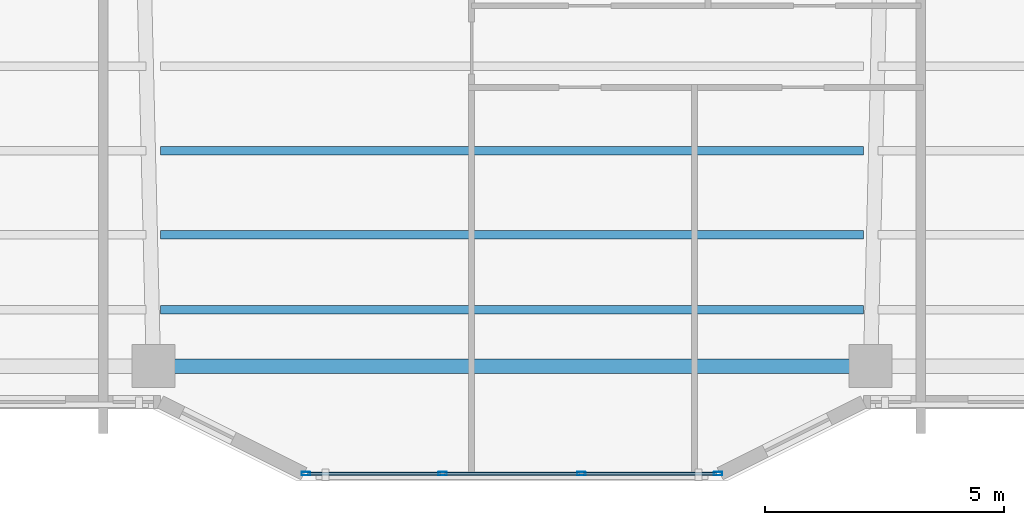
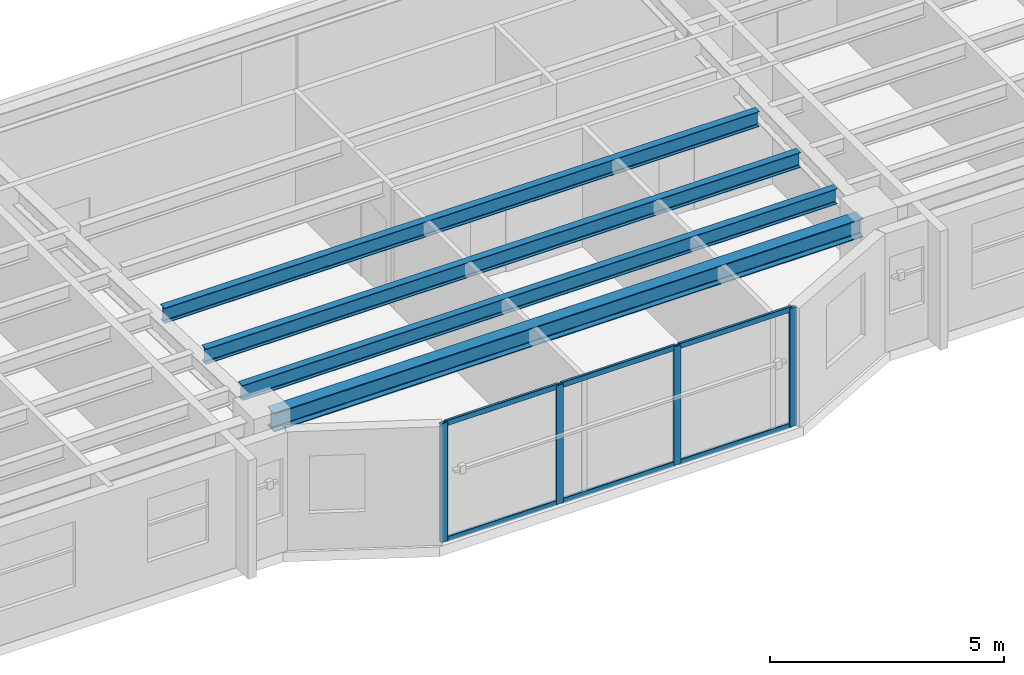
# One storey, part 2 of 15: 10 members, 4 beams, 1 element without a shape of its own.
"""IFC4 building model written with IfcOpenShell, lengths in metres."""

from ifc_helpers import new_model, si_unit, direction, frame, origin, origin_2d, place, context, subcontext, project, spatial, hollow_rectangle, i_section, extrude, material, layer, layer_set, material_profile, profile_set, type_object, element, aggregate, save


model = new_model("IFC4")

# Units and contexts
model_context = context("Model", 3, precision=1e-05, world=origin(), true_north=direction((0.0, 1.0)))
body_context = subcontext(model_context, "Body", "Model", "MODEL_VIEW")
ifc_project = project(units=[si_unit("LENGTHUNIT", "METRE"), si_unit("AREAUNIT", "SQUARE_METRE"), si_unit("VOLUMEUNIT", "CUBIC_METRE"), si_unit("PLANEANGLEUNIT", "RADIAN"), si_unit("MASSUNIT", "GRAM", prefix="KILO")], contexts=[model_context])

# Site, building, storey
site_placement = place(None, origin())
site = spatial("IfcSite", under=ifc_project, at=site_placement, CompositionType="ELEMENT")
building_placement = place(site_placement, origin())
building = spatial("IfcBuilding", under=site, at=building_placement, Name="Tarnavaz Court Tower", CompositionType="ELEMENT")
storey_placement = place(building_placement, frame((0.0, 0.0, 139.300048828125)))
storey = spatial("IfcBuildingStorey", under=building, at=storey_placement, Name="L37", CompositionType="ELEMENT", Elevation=139.300048828125)

# Beams
ifc_material_1 = material(Name="Steel S355", Category="steel")
ifc_material_profile_1 = material_profile(ifc_material_1, i_section(OverallWidth=0.179931640625, OverallDepth=0.39990234375, WebThickness=0.008544921875, FlangeThickness=0.013427734375, FilletRadius=0.02099609375, at=origin_2d()), Name="IPE 400")
ifc_profile_set_1 = profile_set([ifc_material_profile_1], Name="Steel S355")
beam_type_1 = type_object("IfcBeamType", Name="BM-J-IPE400", PredefinedType="JOIST", material=ifc_profile_set_1)
for number, where, z_axis, x_axis, name in (
    (1, (-7.35009765625, -15.89208984375, 2.89990234375), (1.0, 0.0, 0.0), (0.0, 1.0, 0.0), "L37 Beam JS3-2"),
    (2, (-7.35009765625, -17.656005859375, 2.89990234375), (1.0, 0.0, 0.0), (0.0, 1.0, 0.0), "L37 Beam JS4-2"),
    (3, (-7.35009765625, -19.22412109375, 2.89990234375), (1.0, 0.0, 0.0), (0.0, 1.0, 0.0), "L37 Beam JS5-2"),
):
    element("IfcBeam", number, at=place(storey_placement, frame(where, z_axis=z_axis, x_axis=x_axis)), inside=storey, type_object=beam_type_1, Name=name, PredefinedType="JOIST", context=body_context, shape_type="SweptSolid", body=[
        extrude(i_section(OverallWidth=0.179931640625, OverallDepth=0.39990234375, WebThickness=0.008544921875, FlangeThickness=0.013427734375, FilletRadius=0.02099609375, at=origin_2d()), origin(), (0.0, 0.0, 1.0), 14.7001953125),
    ])
ifc_material_profile_2 = material_profile(ifc_material_1, i_section(OverallWidth=0.300048828125, OverallDepth=0.489990234375, WebThickness=0.011962890625, FlangeThickness=0.02294921875, FilletRadius=0.027099609375, at=origin_2d()), Name="HEA 500")
ifc_profile_set_2 = profile_set([ifc_material_profile_2], Name="Steel S355")
beam_type_2 = type_object("IfcBeamType", Name="BM-SP-HEA500", PredefinedType="SPANDREL", material=ifc_profile_set_2)
beam_placement = place(storey_placement, frame((-7.280029296875, -20.39990234375, 2.85498046875), z_axis=(1.0, 0.0, 0.0), x_axis=(0.0, 1.0, 0.0)))
element("IfcBeam", 4, at=beam_placement, inside=storey, type_object=beam_type_2, Name="L37 Beam PR-PS-2-PS-3", PredefinedType="SPANDREL", context=body_context, shape_type="SweptSolid", body=[
    extrude(i_section(OverallWidth=0.300048828125, OverallDepth=0.489990234375, WebThickness=0.011962890625, FlangeThickness=0.02294921875, FilletRadius=0.027099609375, at=origin_2d()), origin(), (0.0, 0.0, 1.0), 14.56005859375),
])

# Curtain wall, members
ifc_material_2 = material(Name="Anodised Aluminium 6063-T6 and Solar Low-E Glazing", Category="aluminium")
ifc_layer = layer(ifc_material_2, 0.159912109375)
ifc_layer_set = layer_set([ifc_layer], Name="Anodised Aluminium 6063-T6 and Solar Low-E Glazing")
curtain_wall_type = type_object("IfcCurtainWallType", Name="CW-SYS-03", PredefinedType="NOTDEFINED", material=ifc_layer_set)
curtain_wall_placement = place(storey_placement, origin())
curtain_wall = element("IfcCurtainWall", 5, at=curtain_wall_placement, inside=storey, type_object=curtain_wall_type, Name="L37 Iwan Prow Curtain Wall 17", PredefinedType="NOTDEFINED")
ifc_material_3 = material(Name="Anodised Aluminium 6063-T6", Category="aluminium")
ifc_material_profile_3 = material_profile(ifc_material_3, hollow_rectangle(XDim=0.074951171875, YDim=0.179931640625, WallThickness=0.0048828125, InnerFilletRadius=0.0048828125, OuterFilletRadius=0.010009765625, at=origin_2d()), Name="ALU RHS 180X75X5")
ifc_profile_set_3 = profile_set([ifc_material_profile_3], Name="Anodised Aluminium 6063-T6")
member_type_1 = type_object("IfcMemberType", Name="CW-MUL-180", PredefinedType="MULLION", material=ifc_profile_set_3)
member_1_placement = place(storey_placement, frame((4.3125, -22.64990234375, 0.0), z_axis=(0.0, 0.0, 1.0), x_axis=(0.0, -1.0, 0.0)))
member_1 = element("IfcMember", 6, at=member_1_placement, type_object=member_type_1, Name="CW mullion 1", PredefinedType="MULLION", context=body_context, shape_type="SweptSolid", body=[
    extrude(hollow_rectangle(XDim=0.074951171875, YDim=0.179931640625, WallThickness=0.0048828125, InnerFilletRadius=0.0048828125, OuterFilletRadius=0.010009765625, at=origin_2d()), origin(), (0.0, 0.0, 1.0), 3.099853515625),
])
member_2_placement = place(storey_placement, frame((1.449951171875, -22.64990234375, 0.0), z_axis=(0.0, 0.0, 1.0), x_axis=(0.0, -1.0, 0.0)))
member_2 = element("IfcMember", 7, at=member_2_placement, type_object=member_type_1, Name="CW mullion 2", PredefinedType="MULLION", context=body_context, shape_type="SweptSolid", body=[
    extrude(hollow_rectangle(XDim=0.074951171875, YDim=0.179931640625, WallThickness=0.0048828125, InnerFilletRadius=0.0048828125, OuterFilletRadius=0.010009765625, at=origin_2d()), origin(), (0.0, 0.0, 1.0), 3.099853515625),
])
member_3_placement = place(storey_placement, frame((-1.449951171875, -22.64990234375, 0.0), z_axis=(0.0, 0.0, 1.0), x_axis=(0.0, -1.0, 0.0)))
member_3 = element("IfcMember", 8, at=member_3_placement, type_object=member_type_1, Name="CW mullion 3", PredefinedType="MULLION", context=body_context, shape_type="SweptSolid", body=[
    extrude(hollow_rectangle(XDim=0.074951171875, YDim=0.179931640625, WallThickness=0.0048828125, InnerFilletRadius=0.0048828125, OuterFilletRadius=0.010009765625, at=origin_2d()), origin(), (0.0, 0.0, 1.0), 3.099853515625),
])
member_4_placement = place(storey_placement, frame((-4.3125, -22.64990234375, 0.0), z_axis=(0.0, 0.0, 1.0), x_axis=(0.0, -1.0, 0.0)))
member_4 = element("IfcMember", 9, at=member_4_placement, type_object=member_type_1, Name="CW mullion 4", PredefinedType="MULLION", context=body_context, shape_type="SweptSolid", body=[
    extrude(hollow_rectangle(XDim=0.074951171875, YDim=0.179931640625, WallThickness=0.0048828125, InnerFilletRadius=0.0048828125, OuterFilletRadius=0.010009765625, at=origin_2d()), origin(), (0.0, 0.0, 1.0), 3.099853515625),
])
ifc_material_profile_4 = material_profile(ifc_material_3, hollow_rectangle(XDim=0.06494140625, YDim=0.139892578125, WallThickness=0.00390625, InnerFilletRadius=0.00390625, OuterFilletRadius=0.008056640625, at=origin_2d()), Name="ALU RHS 140X65X4")
ifc_profile_set_4 = profile_set([ifc_material_profile_4], Name="Anodised Aluminium 6063-T6")
member_type_2 = type_object("IfcMemberType", Name="CW-TRN-140", PredefinedType="USERDEFINED", material=ifc_profile_set_4)
member_5_placement = place(storey_placement, frame((4.27490234375, -22.64990234375, 0.032470703125), z_axis=(-1.0, 0.0, 0.0), x_axis=(0.0, -1.0, 0.0)))
member_5 = element("IfcMember", 10, at=member_5_placement, type_object=member_type_2, Name="CW transom 1.1", ObjectType="TRANSOM", PredefinedType="USERDEFINED", context=body_context, shape_type="SweptSolid", body=[
    extrude(hollow_rectangle(XDim=0.06494140625, YDim=0.139892578125, WallThickness=0.00390625, InnerFilletRadius=0.00390625, OuterFilletRadius=0.008056640625, at=origin_2d()), origin(), (0.0, 0.0, 1.0), 2.787353515625),
])
member_6_placement = place(storey_placement, frame((4.27490234375, -22.64990234375, 3.0673828125), z_axis=(-1.0, 0.0, 0.0), x_axis=(0.0, -1.0, 0.0)))
member_6 = element("IfcMember", 11, at=member_6_placement, type_object=member_type_2, Name="CW transom 1.2", ObjectType="TRANSOM", PredefinedType="USERDEFINED", context=body_context, shape_type="SweptSolid", body=[
    extrude(hollow_rectangle(XDim=0.06494140625, YDim=0.139892578125, WallThickness=0.00390625, InnerFilletRadius=0.00390625, OuterFilletRadius=0.008056640625, at=origin_2d()), origin(), (0.0, 0.0, 1.0), 2.787353515625),
])
member_7_placement = place(storey_placement, frame((1.41259765625, -22.64990234375, 0.032470703125), z_axis=(-1.0, 0.0, 0.0), x_axis=(0.0, -1.0, 0.0)))
member_7 = element("IfcMember", 12, at=member_7_placement, type_object=member_type_2, Name="CW transom 2.1", ObjectType="TRANSOM", PredefinedType="USERDEFINED", context=body_context, shape_type="SweptSolid", body=[
    extrude(hollow_rectangle(XDim=0.06494140625, YDim=0.139892578125, WallThickness=0.00390625, InnerFilletRadius=0.00390625, OuterFilletRadius=0.008056640625, at=origin_2d()), origin(), (0.0, 0.0, 1.0), 2.8251953125),
])
member_8_placement = place(storey_placement, frame((1.41259765625, -22.64990234375, 3.0673828125), z_axis=(-1.0, 0.0, 0.0), x_axis=(0.0, -1.0, 0.0)))
member_8 = element("IfcMember", 13, at=member_8_placement, type_object=member_type_2, Name="CW transom 2.2", ObjectType="TRANSOM", PredefinedType="USERDEFINED", context=body_context, shape_type="SweptSolid", body=[
    extrude(hollow_rectangle(XDim=0.06494140625, YDim=0.139892578125, WallThickness=0.00390625, InnerFilletRadius=0.00390625, OuterFilletRadius=0.008056640625, at=origin_2d()), origin(), (0.0, 0.0, 1.0), 2.8251953125),
])
member_9_placement = place(storey_placement, frame((-1.487548828125, -22.64990234375, 0.032470703125), z_axis=(-1.0, 0.0, 0.0), x_axis=(0.0, -1.0, 0.0)))
member_9 = element("IfcMember", 14, at=member_9_placement, type_object=member_type_2, Name="CW transom 3.1", ObjectType="TRANSOM", PredefinedType="USERDEFINED", context=body_context, shape_type="SweptSolid", body=[
    extrude(hollow_rectangle(XDim=0.06494140625, YDim=0.139892578125, WallThickness=0.00390625, InnerFilletRadius=0.00390625, OuterFilletRadius=0.008056640625, at=origin_2d()), origin(), (0.0, 0.0, 1.0), 2.787353515625),
])
member_10_placement = place(storey_placement, frame((-1.487548828125, -22.64990234375, 3.0673828125), z_axis=(-1.0, 0.0, 0.0), x_axis=(0.0, -1.0, 0.0)))
member_10 = element("IfcMember", 15, at=member_10_placement, type_object=member_type_2, Name="CW transom 3.2", ObjectType="TRANSOM", PredefinedType="USERDEFINED", context=body_context, shape_type="SweptSolid", body=[
    extrude(hollow_rectangle(XDim=0.06494140625, YDim=0.139892578125, WallThickness=0.00390625, InnerFilletRadius=0.00390625, OuterFilletRadius=0.008056640625, at=origin_2d()), origin(), (0.0, 0.0, 1.0), 2.787353515625),
])
aggregate(curtain_wall, [member_1, member_2, member_3, member_4, member_5, member_6, member_7, member_8, member_9, member_10])

save(model, "model.ifc")
